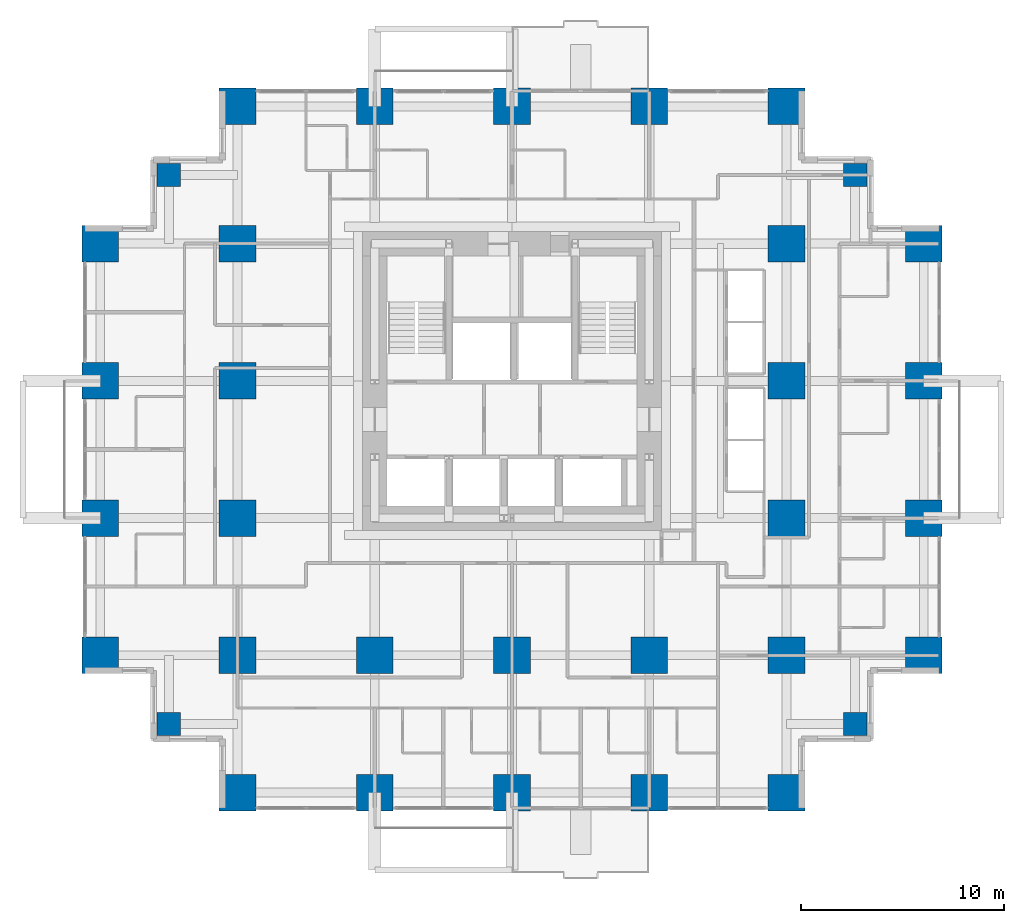
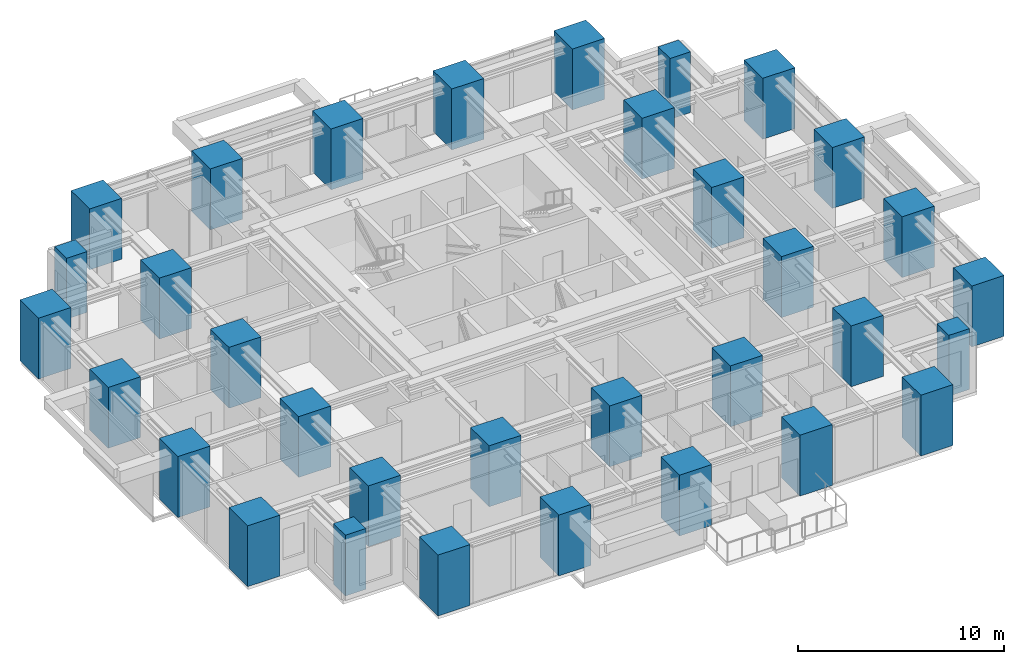
# One storey, part 1 of 12: 33 columns.
"""IFC4 building model written with IfcOpenShell, lengths in metres."""

from ifc_helpers import new_model, si_unit, direction, frame, origin, origin_2d, place, context, subcontext, project, spatial, rectangle, extrude, material, material_profile, profile_set, type_object, element, save


model = new_model("IFC4")

# Units and contexts
model_context = context("Model", 3, precision=1e-05, world=origin(), true_north=direction((0.0, 1.0)))
body_context = subcontext(model_context, "Body", "Model", "MODEL_VIEW")
ifc_project = project(units=[si_unit("LENGTHUNIT", "METRE"), si_unit("AREAUNIT", "SQUARE_METRE"), si_unit("VOLUMEUNIT", "CUBIC_METRE"), si_unit("PLANEANGLEUNIT", "RADIAN"), si_unit("MASSUNIT", "GRAM", prefix="KILO")], contexts=[model_context])

# Site, building, storey
site_placement = place(None, origin())
site = spatial("IfcSite", under=ifc_project, at=site_placement, CompositionType="ELEMENT")
building_placement = place(site_placement, origin())
building = spatial("IfcBuilding", under=site, at=building_placement, Name="Nyansa Garden Tower", CompositionType="ELEMENT")
storey_placement = place(building_placement, frame((0.0, 0.0, 90.89990234375)))
storey = spatial("IfcBuildingStorey", under=building, at=storey_placement, Name="L24", CompositionType="ELEMENT", Elevation=90.89990234375)

# Columns
ifc_material_1 = material(Name="Concrete C70/85", Category="concrete")
ifc_material_profile_1 = material_profile(ifc_material_1, rectangle(XDim=1.14990234375, YDim=1.14990234375, at=origin_2d()), Name="RC 1150x1150")
ifc_profile_set_1 = profile_set([ifc_material_profile_1], Name="Concrete C70/85")
column_type_1 = type_object("IfcColumnType", Name="Column C115 RC 1150x1150", PredefinedType="COLUMN", material=ifc_profile_set_1)
for number, where, z_axis, x_axis, name in (
    (1, (3.375, 3.375, 0.0), (0.0, 0.0, 1.0), (1.0, 0.0, 0.0), "Column x3.375/y3.375 L24"),
    (2, (3.375, 30.375, 0.0), (0.0, 0.0, 1.0), (1.0, 0.0, 0.0), "Column x3.375/y30.375 L24"),
    (3, (37.125, 3.375, 0.0), (0.0, 0.0, 1.0), (1.0, 0.0, 0.0), "Column x37.125/y3.375 L24"),
    (4, (37.125, 30.375, 0.0), (0.0, 0.0, 1.0), (1.0, 0.0, 0.0), "Column x37.125/y30.375 L24"),
):
    element("IfcColumn", number, at=place(storey_placement, frame(where, z_axis=z_axis, x_axis=x_axis)), inside=storey, type_object=column_type_1, Name=name, PredefinedType="COLUMN", context=body_context, shape_type="SweptSolid", body=[
        extrude(rectangle(XDim=1.14990234375, YDim=1.14990234375, at=origin_2d()), origin(), (0.0, 0.0, 1.0), 3.60009765625),
    ])
ifc_material_2 = material(Name="Concrete C80/95", Category="concrete")
ifc_material_profile_2 = material_profile(ifc_material_2, rectangle(XDim=1.800048828125, YDim=1.800048828125, at=origin_2d()), Name="RC 1800x1800")
ifc_profile_set_2 = profile_set([ifc_material_profile_2], Name="Concrete C80/95")
column_type_2 = type_object("IfcColumnType", Name="Column C180 RC 1800x1800", PredefinedType="COLUMN", material=ifc_profile_set_2)
for number, where, z_axis, x_axis, name in (
    (5, (0.0, 6.75, 0.0), (0.0, 0.0, 1.0), (1.0, 0.0, 0.0), "Column 2/E L24"),
    (6, (0.0, 13.5, 0.0), (0.0, 0.0, 1.0), (1.0, 0.0, 0.0), "Column 2/F L24"),
    (7, (0.0, 20.25, 0.0), (0.0, 0.0, 1.0), (1.0, 0.0, 0.0), "Column 2/G L24"),
    (8, (0.0, 27.0, 0.0), (0.0, 0.0, 1.0), (1.0, 0.0, 0.0), "Column 2/H L24"),
    (9, (6.75, 0.0, 0.0), (0.0, 0.0, 1.0), (1.0, 0.0, 0.0), "Column 3/D L24"),
    (10, (6.75, 6.75, 0.0), (0.0, 0.0, 1.0), (1.0, 0.0, 0.0), "Column 3/E L24"),
    (11, (6.75, 13.5, 0.0), (0.0, 0.0, 1.0), (1.0, 0.0, 0.0), "Column 3/F L24"),
    (12, (6.75, 20.25, 0.0), (0.0, 0.0, 1.0), (1.0, 0.0, 0.0), "Column 3/G L24"),
    (13, (6.75, 27.0, 0.0), (0.0, 0.0, 1.0), (1.0, 0.0, 0.0), "Column 3/H L24"),
    (14, (6.75, 33.75, 0.0), (0.0, 0.0, 1.0), (1.0, 0.0, 0.0), "Column 3/J L24"),
    (15, (13.5, 0.0, 0.0), (0.0, 0.0, 1.0), (1.0, 0.0, 0.0), "Column 4/D L24"),
    (16, (13.5, 6.75, 0.0), (0.0, 0.0, 1.0), (1.0, 0.0, 0.0), "Column 4/E L24"),
    (17, (13.5, 33.75, 0.0), (0.0, 0.0, 1.0), (1.0, 0.0, 0.0), "Column 4/J L24"),
    (18, (20.25, 0.0, 0.0), (0.0, 0.0, 1.0), (1.0, 0.0, 0.0), "Column 5/D L24"),
    (19, (20.25, 6.75, 0.0), (0.0, 0.0, 1.0), (1.0, 0.0, 0.0), "Column 5/E L24"),
    (20, (20.25, 33.75, 0.0), (0.0, 0.0, 1.0), (1.0, 0.0, 0.0), "Column 5/J L24"),
    (21, (27.0, 0.0, 0.0), (0.0, 0.0, 1.0), (1.0, 0.0, 0.0), "Column 6/D L24"),
    (22, (27.0, 6.75, 0.0), (0.0, 0.0, 1.0), (1.0, 0.0, 0.0), "Column 6/E L24"),
    (23, (27.0, 33.75, 0.0), (0.0, 0.0, 1.0), (1.0, 0.0, 0.0), "Column 6/J L24"),
    (24, (33.75, 0.0, 0.0), (0.0, 0.0, 1.0), (1.0, 0.0, 0.0), "Column 7/D L24"),
    (25, (33.75, 6.75, 0.0), (0.0, 0.0, 1.0), (1.0, 0.0, 0.0), "Column 7/E L24"),
    (26, (33.75, 13.5, 0.0), (0.0, 0.0, 1.0), (1.0, 0.0, 0.0), "Column 7/F L24"),
    (27, (33.75, 20.25, 0.0), (0.0, 0.0, 1.0), (1.0, 0.0, 0.0), "Column 7/G L24"),
    (28, (33.75, 27.0, 0.0), (0.0, 0.0, 1.0), (1.0, 0.0, 0.0), "Column 7/H L24"),
    (29, (33.75, 33.75, 0.0), (0.0, 0.0, 1.0), (1.0, 0.0, 0.0), "Column 7/J L24"),
    (30, (40.5, 6.75, 0.0), (0.0, 0.0, 1.0), (1.0, 0.0, 0.0), "Column 8/E L24"),
    (31, (40.5, 13.5, 0.0), (0.0, 0.0, 1.0), (1.0, 0.0, 0.0), "Column 8/F L24"),
    (32, (40.5, 20.25, 0.0), (0.0, 0.0, 1.0), (1.0, 0.0, 0.0), "Column 8/G L24"),
    (33, (40.5, 27.0, 0.0), (0.0, 0.0, 1.0), (1.0, 0.0, 0.0), "Column 8/H L24"),
):
    element("IfcColumn", number, at=place(storey_placement, frame(where, z_axis=z_axis, x_axis=x_axis)), inside=storey, type_object=column_type_2, Name=name, PredefinedType="COLUMN", context=body_context, shape_type="SweptSolid", body=[
        extrude(rectangle(XDim=1.800048828125, YDim=1.800048828125, at=origin_2d()), origin(), (0.0, 0.0, 1.0), 3.60009765625),
    ])

save(model, "model.ifc")
